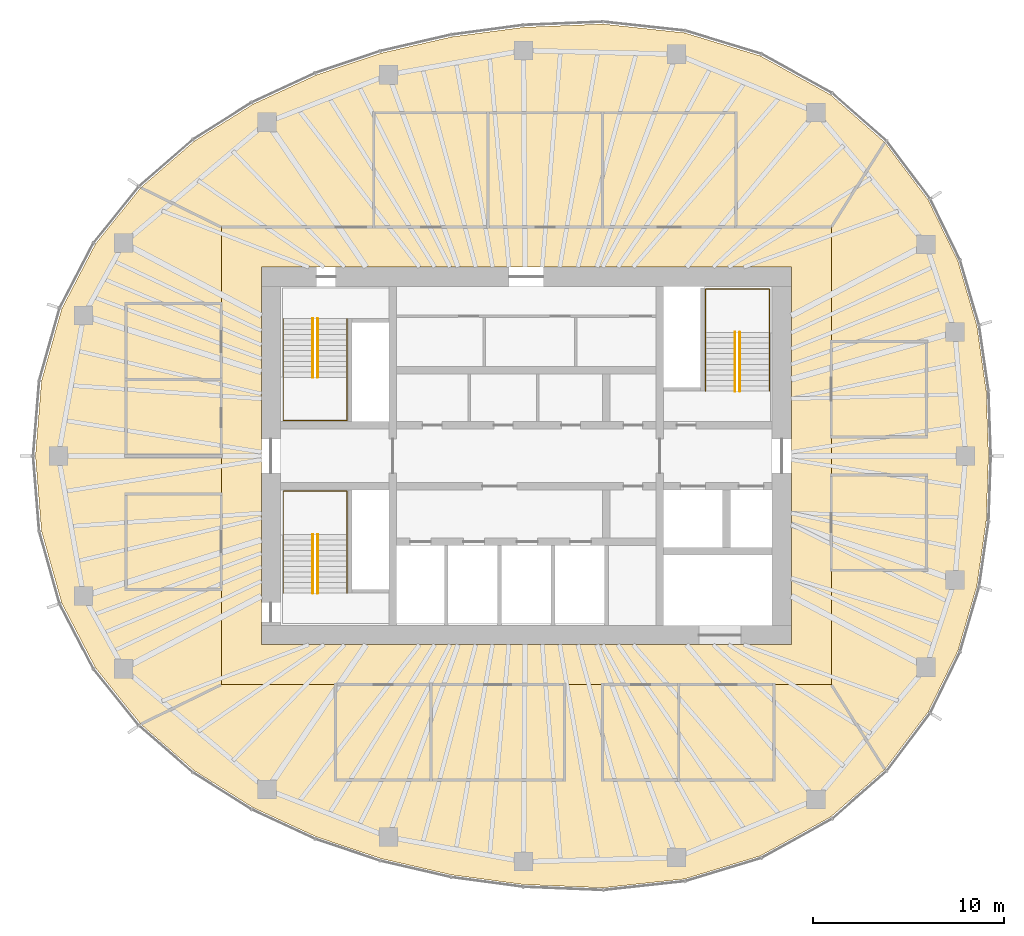
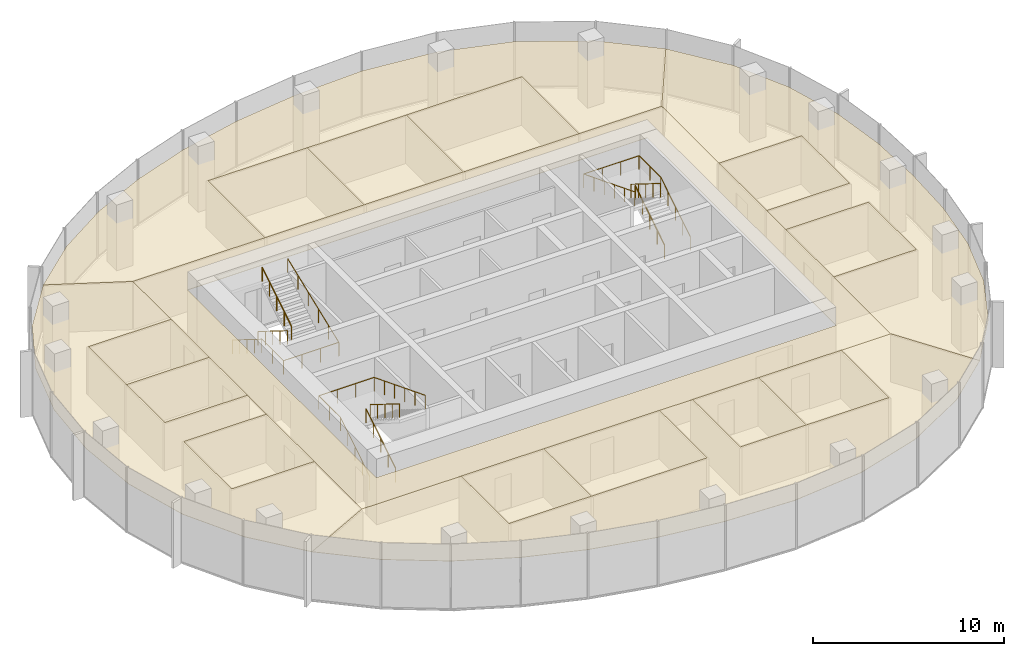
# One storey, part 11 of 11: 17 coverings, 9 railings.
"""IFC4 building model written with IfcOpenShell, lengths in metres."""

from ifc_helpers import new_model, si_unit, direction, frame, origin, origin_2d, place, context, subcontext, project, spatial, polyline, circle, outline, extrude, material, layer, layer_set, type_object, element, save


model = new_model("IFC4")

# Units and contexts
model_context = context("Model", 3, precision=1e-05, world=origin(), true_north=direction((0.0, 1.0)))
body_context = subcontext(model_context, "Body", "Model", "MODEL_VIEW")
ifc_project = project(units=[si_unit("LENGTHUNIT", "METRE"), si_unit("AREAUNIT", "SQUARE_METRE"), si_unit("VOLUMEUNIT", "CUBIC_METRE"), si_unit("PLANEANGLEUNIT", "RADIAN"), si_unit("MASSUNIT", "GRAM", prefix="KILO")], contexts=[model_context])

# Site, building, storey
site_placement = place(None, origin())
site = spatial("IfcSite", under=ifc_project, at=site_placement, CompositionType="ELEMENT")
building_placement = place(site_placement, origin())
building = spatial("IfcBuilding", under=site, at=building_placement, Name="Ghaith Harvest Tower", CompositionType="ELEMENT")
storey_placement = place(building_placement, frame((0.0, 0.0, 317.39990234375)))
storey = spatial("IfcBuildingStorey", under=building, at=storey_placement, Name="L71", CompositionType="ELEMENT", Elevation=317.39990234375)

# Coverings
ifc_material_1 = material(Name="Mineral fibre ceiling tile", Category="gypsum")
ifc_layer = layer(ifc_material_1, 0.02490234375)
ifc_layer_set = layer_set([ifc_layer], Name="CEILING C2")
covering_type = type_object("IfcCoveringType", Name="CEILING C2", PredefinedType="CEILING", material=ifc_layer_set)
covering_1_placement = place(storey_placement, frame((0.0, 0.0, 3.0)))
element("IfcCovering", 1, at=covering_1_placement, inside=storey, type_object=covering_type, Name="Ceiling L71-01", PredefinedType="CEILING", context=body_context, shape_type="SweptSolid", body=[
    extrude(outline(polyline([(-8.0, 12.0), (-2.0, 12.0), (-2.0, 18.0), (-8.0, 18.0), (-8.0, 12.0)])), origin(), (0.0, 0.0, 1.0), 0.025146484375),
])
covering_2_placement = place(storey_placement, frame((0.0, 0.0, 3.0)))
element("IfcCovering", 2, at=covering_2_placement, inside=storey, type_object=covering_type, Name="Ceiling L71-02", PredefinedType="CEILING", context=body_context, shape_type="SweptSolid", body=[
    extrude(outline(polyline([(-2.0, 12.0), (4.0, 12.0), (4.0, 18.0), (-2.0, 18.0), (-2.0, 12.0)])), origin(), (0.0, 0.0, 1.0), 0.025146484375),
])
covering_3_placement = place(storey_placement, frame((0.0, 0.0, 3.0)))
element("IfcCovering", 3, at=covering_3_placement, inside=storey, type_object=covering_type, Name="Ceiling L71-03", PredefinedType="CEILING", context=body_context, shape_type="SweptSolid", body=[
    extrude(outline(polyline([(4.0, 12.0), (11.0, 12.0), (11.0, 18.0), (4.0, 18.0), (4.0, 12.0)])), origin(), (0.0, 0.0, 1.0), 0.025146484375),
])
covering_4_placement = place(storey_placement, frame((0.0, 0.0, 3.0)))
element("IfcCovering", 4, at=covering_4_placement, inside=storey, type_object=covering_type, Name="Ceiling L71-04", PredefinedType="CEILING", context=body_context, shape_type="SweptSolid", body=[
    extrude(outline(polyline([(-10.0, -17.0), (-5.0, -17.0), (-5.0, -12.0), (-10.0, -12.0), (-10.0, -17.0)])), origin(), (0.0, 0.0, 1.0), 0.025146484375),
])
covering_5_placement = place(storey_placement, frame((0.0, 0.0, 3.0)))
element("IfcCovering", 5, at=covering_5_placement, inside=storey, type_object=covering_type, Name="Ceiling L71-05", PredefinedType="CEILING", context=body_context, shape_type="SweptSolid", body=[
    extrude(outline(polyline([(-5.0, -17.0), (2.0, -17.0), (2.0, -12.0), (-5.0, -12.0), (-5.0, -17.0)])), origin(), (0.0, 0.0, 1.0), 0.025146484375),
])
covering_6_placement = place(storey_placement, frame((0.0, 0.0, 3.0)))
element("IfcCovering", 6, at=covering_6_placement, inside=storey, type_object=covering_type, Name="Ceiling L71-06", PredefinedType="CEILING", context=body_context, shape_type="SweptSolid", body=[
    extrude(outline(polyline([(4.0, -17.0), (8.0, -17.0), (8.0, -12.0), (4.0, -12.0), (4.0, -17.0)])), origin(), (0.0, 0.0, 1.0), 0.025146484375),
])
covering_7_placement = place(storey_placement, frame((0.0, 0.0, 3.0)))
element("IfcCovering", 7, at=covering_7_placement, inside=storey, type_object=covering_type, Name="Ceiling L71-07", PredefinedType="CEILING", context=body_context, shape_type="SweptSolid", body=[
    extrude(outline(polyline([(8.0, -17.0), (13.0, -17.0), (13.0, -12.0), (8.0, -12.0), (8.0, -17.0)])), origin(), (0.0, 0.0, 1.0), 0.025146484375),
])
covering_8_placement = place(storey_placement, frame((0.0, 0.0, 3.0)))
element("IfcCovering", 8, at=covering_8_placement, inside=storey, type_object=covering_type, Name="Ceiling L71-08", PredefinedType="CEILING", context=body_context, shape_type="SweptSolid", body=[
    extrude(outline(polyline([(-21.0, -7.0), (-16.0, -7.0), (-16.0, -2.0), (-21.0, -2.0), (-21.0, -7.0)])), origin(), (0.0, 0.0, 1.0), 0.025146484375),
])
covering_9_placement = place(storey_placement, frame((0.0, 0.0, 3.0)))
element("IfcCovering", 9, at=covering_9_placement, inside=storey, type_object=covering_type, Name="Ceiling L71-09", PredefinedType="CEILING", context=body_context, shape_type="SweptSolid", body=[
    extrude(outline(polyline([(16.0, -6.0), (21.0, -6.0), (21.0, -1.0), (16.0, -1.0), (16.0, -6.0)])), origin(), (0.0, 0.0, 1.0), 0.025146484375),
])
covering_10_placement = place(storey_placement, frame((0.0, 0.0, 3.0)))
element("IfcCovering", 10, at=covering_10_placement, inside=storey, type_object=covering_type, Name="Ceiling L71-10", PredefinedType="CEILING", context=body_context, shape_type="SweptSolid", body=[
    extrude(outline(polyline([(16.0, 1.0), (21.0, 1.0), (21.0, 6.0), (16.0, 6.0), (16.0, 1.0)])), origin(), (0.0, 0.0, 1.0), 0.025146484375),
])
covering_11_placement = place(storey_placement, frame((0.0, 0.0, 3.0)))
element("IfcCovering", 11, at=covering_11_placement, inside=storey, type_object=covering_type, Name="Ceiling L71-11", PredefinedType="CEILING", context=body_context, shape_type="SweptSolid", body=[
    extrude(outline(polyline([(-21.0, 0.0), (-16.0, 0.0), (-16.0, 4.0), (-21.0, 4.0), (-21.0, 0.0)])), origin(), (0.0, 0.0, 1.0), 0.025146484375),
])
covering_12_placement = place(storey_placement, frame((0.0, 0.0, 3.0)))
element("IfcCovering", 12, at=covering_12_placement, inside=storey, type_object=covering_type, Name="Ceiling L71-12", PredefinedType="CEILING", context=body_context, shape_type="SweptSolid", body=[
    extrude(outline(polyline([(-21.0, 4.0), (-16.0, 4.0), (-16.0, 8.0), (-21.0, 8.0), (-21.0, 4.0)])), origin(), (0.0, 0.0, 1.0), 0.025146484375),
])
covering_13_placement = place(storey_placement, frame((0.0, 0.0, 3.0)))
element("IfcCovering", 13, at=covering_13_placement, inside=storey, type_object=covering_type, Name="Ceiling L71-C1", PredefinedType="CEILING", context=body_context, shape_type="SweptSolid", body=[
    extrude(outline(polyline([(-16.0, 12.0), (16.0, 12.0), (16.0, -12.0), (-16.0, -12.0), (-16.0, 12.0)]), holes=[polyline([(13.89990234375, 9.89990234375), (-13.89990234375, 9.89990234375), (-13.89990234375, -9.89990234375), (13.89990234375, -9.89990234375), (13.89990234375, 9.89990234375)])]), origin(), (0.0, 0.0, 1.0), 0.025146484375),
])
covering_14_placement = place(storey_placement, frame((0.0, 0.0, 3.0)))
element("IfcCovering", 14, at=covering_14_placement, inside=storey, type_object=covering_type, Name="Ceiling L71-N1", PredefinedType="CEILING", context=body_context, shape_type="SweptSolid", body=[
    extrude(outline(polyline([(-17.40771484375, 16.518310546875), (-14.331298828125, 18.452880859375), (-11.009521484375, 19.98779296875), (-7.6298828125, 21.12548828125), (-3.92529296875, 21.98046875), (-0.15380859375, 22.486083984375), (4.016845703125, 22.658447265625), (8.2978515625, 22.1962890625), (12.273681640625, 20.98828125), (15.971923828125, 18.940185546875), (18.810791015625, 16.4482421875), (16.0, 12.0), (11.0, 12.0), (11.0, 18.0), (-8.0, 18.0), (-8.0, 12.0), (-16.0, 12.0), (-20.225830078125, 14.0732421875), (-17.40771484375, 16.518310546875)])), origin(), (0.0, 0.0, 1.0), 0.025146484375),
])
covering_15_placement = place(storey_placement, frame((0.0, 0.0, 3.0)))
element("IfcCovering", 15, at=covering_15_placement, inside=storey, type_object=covering_type, Name="Ceiling L71-E1", PredefinedType="CEILING", context=body_context, shape_type="SweptSolid", body=[
    extrude(outline(polyline([(21.087890625, 13.42041015625), (22.644775390625, 10.222900390625), (23.6376953125, 6.831787109375), (24.129150390625, 3.4169921875), (24.25, 0.0), (24.129150390625, -3.4169921875), (23.6376953125, -6.831787109375), (22.644775390625, -10.222900390625), (21.087890625, -13.42041015625), (18.810791015625, -16.4482421875), (16.0, -12.0), (16.0, -6.0), (21.0, -6.0), (21.0, -1.0), (16.0, -1.0), (16.0, 1.0), (21.0, 1.0), (21.0, 6.0), (16.0, 6.0), (16.0, 12.0), (18.810791015625, 16.4482421875), (21.087890625, 13.42041015625)])), origin(), (0.0, 0.0, 1.0), 0.025146484375),
])
covering_16_placement = place(storey_placement, frame((0.0, 0.0, 3.0)))
element("IfcCovering", 16, at=covering_16_placement, inside=storey, type_object=covering_type, Name="Ceiling L71-S1", PredefinedType="CEILING", context=body_context, shape_type="SweptSolid", body=[
    extrude(outline(polyline([(-17.40771484375, -16.518310546875), (-20.225830078125, -14.0732421875), (-16.0, -12.0), (-10.0, -12.0), (-10.0, -17.0), (2.0, -17.0), (2.0, -12.0), (4.0, -12.0), (4.0, -17.0), (13.0, -17.0), (13.0, -12.0), (16.0, -12.0), (18.810791015625, -16.4482421875), (15.971923828125, -18.940185546875), (12.273681640625, -20.98828125), (8.2978515625, -22.1962890625), (4.016845703125, -22.658447265625), (-0.15380859375, -22.486083984375), (-3.92529296875, -21.98046875), (-7.6298828125, -21.12548828125), (-11.009521484375, -19.98779296875), (-14.331298828125, -18.452880859375), (-17.40771484375, -16.518310546875)])), origin(), (0.0, 0.0, 1.0), 0.025146484375),
])
covering_17_placement = place(storey_placement, frame((0.0, 0.0, 3.0)))
element("IfcCovering", 17, at=covering_17_placement, inside=storey, type_object=covering_type, Name="Ceiling L71-W1", PredefinedType="CEILING", context=body_context, shape_type="SweptSolid", body=[
    extrude(outline(polyline([(-22.5986328125, -11.12353515625), (-24.368408203125, -7.722900390625), (-25.43310546875, -3.93359375), (-25.75, 0.0), (-25.43310546875, 3.93359375), (-24.368408203125, 7.722900390625), (-22.5986328125, 11.12353515625), (-20.225830078125, 14.0732421875), (-16.0, 12.0), (-16.0, 8.0), (-21.0, 8.0), (-21.0, 0.0), (-16.0, 0.0), (-16.0, -2.0), (-21.0, -2.0), (-21.0, -7.0), (-16.0, -7.0), (-16.0, -12.0), (-20.225830078125, -14.0732421875), (-22.5986328125, -11.12353515625)])), origin(), (0.0, 0.0, 1.0), 0.025146484375),
])

# Railings
ifc_material_2 = material(Name="Steel, black powder-coated", Category="steel")
railing_type = type_object("IfcRailingType", Name="HANDRAIL HR1", PredefinedType="HANDRAIL", material=ifc_material_2)
railing_1_placement = place(storey_placement, frame((-11.199951171875, 7.199951171875, 0.175048828125)))
element("IfcRailing", 18, at=railing_1_placement, inside=storey, type_object=railing_type, Name="Handrail HR1 stair ST1 L71 flight 1 inner", PredefinedType="HANDRAIL", context=body_context, shape_type="SweptSolid", body=[
    extrude(circle(Radius=0.02392578125, at=origin_2d()), frame((0.0, 0.0, 0.8759765625), z_axis=(0.0, -0.847979421464, 0.530029150871), x_axis=(1.0, 0.0, 0.0)), (0.0, 0.0, 1.0), 3.632080078125),
    extrude(circle(Radius=0.02099609375, at=origin_2d()), origin(), (0.0, 0.0, 1.0), 0.851806640625),
    extrude(circle(Radius=0.02099609375, at=origin_2d()), frame((0.0, -0.77001953125, 0.481201171875)), (0.0, 0.0, 1.0), 0.851806640625),
    extrude(circle(Radius=0.02099609375, at=origin_2d()), frame((0.0, -1.5400390625, 0.96240234375)), (0.0, 0.0, 1.0), 0.851806640625),
    extrude(circle(Radius=0.02099609375, at=origin_2d()), frame((0.0, -2.309814453125, 1.44384765625)), (0.0, 0.0, 1.0), 0.851806640625),
    extrude(circle(Radius=0.02099609375, at=origin_2d()), frame((0.0, -3.079833984375, 1.925048828125)), (0.0, 0.0, 1.0), 0.851806640625),
])
railing_2_placement = place(storey_placement, frame((-10.949951171875, 4.1201171875, 2.275146484375)))
element("IfcRailing", 19, at=railing_2_placement, inside=storey, type_object=railing_type, Name="Handrail HR1 stair ST1 L71 flight 2 inner", PredefinedType="HANDRAIL", context=body_context, shape_type="SweptSolid", body=[
    extrude(circle(Radius=0.02392578125, at=origin_2d()), frame((0.0, 0.0, 0.8759765625), z_axis=(0.0, 0.847979421464, 0.530029150871), x_axis=(-1.0, 0.0, 0.0)), (0.0, 0.0, 1.0), 3.632080078125),
    extrude(circle(Radius=0.02099609375, at=origin_2d()), origin(), (0.0, 0.0, 1.0), 0.851806640625),
    extrude(circle(Radius=0.02099609375, at=origin_2d()), frame((0.0, 0.77001953125, 0.481201171875)), (0.0, 0.0, 1.0), 0.851806640625),
    extrude(circle(Radius=0.02099609375, at=origin_2d()), frame((0.0, 1.5400390625, 0.96240234375)), (0.0, 0.0, 1.0), 0.851806640625),
    extrude(circle(Radius=0.02099609375, at=origin_2d()), frame((0.0, 2.309814453125, 1.44384765625)), (0.0, 0.0, 1.0), 0.851806640625),
    extrude(circle(Radius=0.02099609375, at=origin_2d()), frame((0.0, 3.079833984375, 1.925048828125)), (0.0, 0.0, 1.0), 0.851806640625),
])
railing_3_placement = place(storey_placement, frame((-12.75, 7.199951171875, 0.175048828125)))
element("IfcRailing", 20, at=railing_3_placement, inside=storey, type_object=railing_type, Name="Handrail HR1 stair ST1 L71 wall side", PredefinedType="HANDRAIL", context=body_context, shape_type="SweptSolid", body=[
    extrude(circle(Radius=0.02392578125, at=origin_2d()), frame((0.0, 0.0, 0.8759765625), z_axis=(0.0, -0.847979421464, 0.530029150871), x_axis=(1.0, 0.0, 0.0)), (0.0, 0.0, 1.0), 3.632080078125),
    extrude(circle(Radius=0.02392578125, at=origin_2d()), frame((0.0, -3.079833984375, 2.80078125), z_axis=(0.0, -1.0, 0.0), x_axis=(1.0, 0.0, 0.0)), (0.0, 0.0, 1.0), 2.27001953125),
    extrude(circle(Radius=0.02392578125, at=origin_2d()), frame((0.0, -5.349853515625, 2.80078125), z_axis=(1.0, 0.0, 0.0), x_axis=(0.0, 1.0, 0.0)), (0.0, 0.0, 1.0), 3.35009765625),
    extrude(circle(Radius=0.02392578125, at=origin_2d()), frame((3.35009765625, -5.349853515625, 2.80078125), z_axis=(0.0, 0.930848013298, 0.36540659017), x_axis=(-1.0, 0.0, 0.0)), (0.0, 0.0, 1.0), 5.747314453125),
    extrude(circle(Radius=0.02099609375, at=origin_2d()), origin(), (0.0, 0.0, 1.0), 0.851806640625),
    extrude(circle(Radius=0.02099609375, at=origin_2d()), frame((0.0, -0.77001953125, 0.481201171875)), (0.0, 0.0, 1.0), 0.851806640625),
    extrude(circle(Radius=0.02099609375, at=origin_2d()), frame((0.0, -1.5400390625, 0.96240234375)), (0.0, 0.0, 1.0), 0.851806640625),
    extrude(circle(Radius=0.02099609375, at=origin_2d()), frame((0.0, -2.309814453125, 1.44384765625)), (0.0, 0.0, 1.0), 0.851806640625),
    extrude(circle(Radius=0.02099609375, at=origin_2d()), frame((0.0, -3.079833984375, 1.925048828125)), (0.0, 0.0, 1.0), 0.851806640625),
    extrude(circle(Radius=0.02099609375, at=origin_2d()), frame((0.0, -4.21484375, 1.925048828125)), (0.0, 0.0, 1.0), 0.851806640625),
    extrude(circle(Radius=0.02099609375, at=origin_2d()), frame((0.0, -5.349853515625, 1.925048828125)), (0.0, 0.0, 1.0), 0.851806640625),
    extrude(circle(Radius=0.02099609375, at=origin_2d()), frame((1.11669921875, -5.349853515625, 1.925048828125)), (0.0, 0.0, 1.0), 0.851806640625),
    extrude(circle(Radius=0.02099609375, at=origin_2d()), frame((2.2333984375, -5.349853515625, 1.925048828125)), (0.0, 0.0, 1.0), 0.851806640625),
    extrude(circle(Radius=0.02099609375, at=origin_2d()), frame((3.35009765625, -5.349853515625, 1.925048828125)), (0.0, 0.0, 1.0), 0.851806640625),
    extrude(circle(Radius=0.02099609375, at=origin_2d()), frame((3.35009765625, -4.27978515625, 2.344970703125)), (0.0, 0.0, 1.0), 0.851806640625),
    extrude(circle(Radius=0.02099609375, at=origin_2d()), frame((3.35009765625, -3.2099609375, 2.76513671875)), (0.0, 0.0, 1.0), 0.851806640625),
    extrude(circle(Radius=0.02099609375, at=origin_2d()), frame((3.35009765625, -2.139892578125, 3.18505859375)), (0.0, 0.0, 1.0), 0.851806640625),
    extrude(circle(Radius=0.02099609375, at=origin_2d()), frame((3.35009765625, -1.070068359375, 3.605224609375)), (0.0, 0.0, 1.0), 0.851806640625),
    extrude(circle(Radius=0.02099609375, at=origin_2d()), frame((3.35009765625, 0.0, 4.025146484375)), (0.0, 0.0, 1.0), 0.851806640625),
])
railing_4_placement = place(storey_placement, frame((-11.199951171875, -7.199951171875, 0.175048828125)))
element("IfcRailing", 21, at=railing_4_placement, inside=storey, type_object=railing_type, Name="Handrail HR1 stair ST3 L71 flight 1 inner", PredefinedType="HANDRAIL", context=body_context, shape_type="SweptSolid", body=[
    extrude(circle(Radius=0.02392578125, at=origin_2d()), frame((0.0, 0.0, 0.8759765625), z_axis=(0.0, 0.847979421464, 0.530029150871), x_axis=(-1.0, 0.0, 0.0)), (0.0, 0.0, 1.0), 3.632080078125),
    extrude(circle(Radius=0.02099609375, at=origin_2d()), origin(), (0.0, 0.0, 1.0), 0.851806640625),
    extrude(circle(Radius=0.02099609375, at=origin_2d()), frame((0.0, 0.77001953125, 0.481201171875)), (0.0, 0.0, 1.0), 0.851806640625),
    extrude(circle(Radius=0.02099609375, at=origin_2d()), frame((0.0, 1.5400390625, 0.96240234375)), (0.0, 0.0, 1.0), 0.851806640625),
    extrude(circle(Radius=0.02099609375, at=origin_2d()), frame((0.0, 2.309814453125, 1.44384765625)), (0.0, 0.0, 1.0), 0.851806640625),
    extrude(circle(Radius=0.02099609375, at=origin_2d()), frame((0.0, 3.079833984375, 1.925048828125)), (0.0, 0.0, 1.0), 0.851806640625),
])
railing_5_placement = place(storey_placement, frame((-10.949951171875, -4.1201171875, 2.275146484375)))
element("IfcRailing", 22, at=railing_5_placement, inside=storey, type_object=railing_type, Name="Handrail HR1 stair ST3 L71 flight 2 inner", PredefinedType="HANDRAIL", context=body_context, shape_type="SweptSolid", body=[
    extrude(circle(Radius=0.02392578125, at=origin_2d()), frame((0.0, 0.0, 0.8759765625), z_axis=(0.0, -0.847979421464, 0.530029150871), x_axis=(1.0, 0.0, 0.0)), (0.0, 0.0, 1.0), 3.632080078125),
    extrude(circle(Radius=0.02099609375, at=origin_2d()), origin(), (0.0, 0.0, 1.0), 0.851806640625),
    extrude(circle(Radius=0.02099609375, at=origin_2d()), frame((0.0, -0.77001953125, 0.481201171875)), (0.0, 0.0, 1.0), 0.851806640625),
    extrude(circle(Radius=0.02099609375, at=origin_2d()), frame((0.0, -1.5400390625, 0.96240234375)), (0.0, 0.0, 1.0), 0.851806640625),
    extrude(circle(Radius=0.02099609375, at=origin_2d()), frame((0.0, -2.309814453125, 1.44384765625)), (0.0, 0.0, 1.0), 0.851806640625),
    extrude(circle(Radius=0.02099609375, at=origin_2d()), frame((0.0, -3.079833984375, 1.925048828125)), (0.0, 0.0, 1.0), 0.851806640625),
])
railing_6_placement = place(storey_placement, frame((-12.75, -7.199951171875, 0.175048828125)))
element("IfcRailing", 23, at=railing_6_placement, inside=storey, type_object=railing_type, Name="Handrail HR1 stair ST3 L71 wall side", PredefinedType="HANDRAIL", context=body_context, shape_type="SweptSolid", body=[
    extrude(circle(Radius=0.02392578125, at=origin_2d()), frame((0.0, 0.0, 0.8759765625), z_axis=(0.0, 0.847979421464, 0.530029150871), x_axis=(-1.0, 0.0, 0.0)), (0.0, 0.0, 1.0), 3.632080078125),
    extrude(circle(Radius=0.02392578125, at=origin_2d()), frame((0.0, 3.079833984375, 2.80078125), z_axis=(0.0, 1.0, 0.0), x_axis=(-1.0, 0.0, 0.0)), (0.0, 0.0, 1.0), 2.27001953125),
    extrude(circle(Radius=0.02392578125, at=origin_2d()), frame((0.0, 5.349853515625, 2.80078125), z_axis=(1.0, 0.0, 0.0), x_axis=(0.0, 1.0, 0.0)), (0.0, 0.0, 1.0), 3.35009765625),
    extrude(circle(Radius=0.02392578125, at=origin_2d()), frame((3.35009765625, 5.349853515625, 2.80078125), z_axis=(0.0, -0.930848013298, 0.36540659017), x_axis=(1.0, 0.0, 0.0)), (0.0, 0.0, 1.0), 5.747314453125),
    extrude(circle(Radius=0.02099609375, at=origin_2d()), origin(), (0.0, 0.0, 1.0), 0.851806640625),
    extrude(circle(Radius=0.02099609375, at=origin_2d()), frame((0.0, 0.77001953125, 0.481201171875)), (0.0, 0.0, 1.0), 0.851806640625),
    extrude(circle(Radius=0.02099609375, at=origin_2d()), frame((0.0, 1.5400390625, 0.96240234375)), (0.0, 0.0, 1.0), 0.851806640625),
    extrude(circle(Radius=0.02099609375, at=origin_2d()), frame((0.0, 2.309814453125, 1.44384765625)), (0.0, 0.0, 1.0), 0.851806640625),
    extrude(circle(Radius=0.02099609375, at=origin_2d()), frame((0.0, 3.079833984375, 1.925048828125)), (0.0, 0.0, 1.0), 0.851806640625),
    extrude(circle(Radius=0.02099609375, at=origin_2d()), frame((0.0, 4.21484375, 1.925048828125)), (0.0, 0.0, 1.0), 0.851806640625),
    extrude(circle(Radius=0.02099609375, at=origin_2d()), frame((0.0, 5.349853515625, 1.925048828125)), (0.0, 0.0, 1.0), 0.851806640625),
    extrude(circle(Radius=0.02099609375, at=origin_2d()), frame((1.11669921875, 5.349853515625, 1.925048828125)), (0.0, 0.0, 1.0), 0.851806640625),
    extrude(circle(Radius=0.02099609375, at=origin_2d()), frame((2.2333984375, 5.349853515625, 1.925048828125)), (0.0, 0.0, 1.0), 0.851806640625),
    extrude(circle(Radius=0.02099609375, at=origin_2d()), frame((3.35009765625, 5.349853515625, 1.925048828125)), (0.0, 0.0, 1.0), 0.851806640625),
    extrude(circle(Radius=0.02099609375, at=origin_2d()), frame((3.35009765625, 4.27978515625, 2.344970703125)), (0.0, 0.0, 1.0), 0.851806640625),
    extrude(circle(Radius=0.02099609375, at=origin_2d()), frame((3.35009765625, 3.2099609375, 2.76513671875)), (0.0, 0.0, 1.0), 0.851806640625),
    extrude(circle(Radius=0.02099609375, at=origin_2d()), frame((3.35009765625, 2.139892578125, 3.18505859375)), (0.0, 0.0, 1.0), 0.851806640625),
    extrude(circle(Radius=0.02099609375, at=origin_2d()), frame((3.35009765625, 1.070068359375, 3.605224609375)), (0.0, 0.0, 1.0), 0.851806640625),
    extrude(circle(Radius=0.02099609375, at=origin_2d()), frame((3.35009765625, 0.0, 4.025146484375)), (0.0, 0.0, 1.0), 0.851806640625),
])
railing_7_placement = place(storey_placement, frame((11.199951171875, 3.39990234375, 0.175048828125)))
element("IfcRailing", 24, at=railing_7_placement, inside=storey, type_object=railing_type, Name="Handrail HR1 stair ST2 L71 flight 1 inner", PredefinedType="HANDRAIL", context=body_context, shape_type="SweptSolid", body=[
    extrude(circle(Radius=0.02392578125, at=origin_2d()), frame((0.0, 0.0, 0.8759765625), z_axis=(0.0, 0.847998304005, 0.529998940003), x_axis=(-1.0, 0.0, 0.0)), (0.0, 0.0, 1.0), 3.632080078125),
    extrude(circle(Radius=0.02099609375, at=origin_2d()), origin(), (0.0, 0.0, 1.0), 0.851806640625),
    extrude(circle(Radius=0.02099609375, at=origin_2d()), frame((0.0, 0.77001953125, 0.481201171875)), (0.0, 0.0, 1.0), 0.851806640625),
    extrude(circle(Radius=0.02099609375, at=origin_2d()), frame((0.0, 1.5400390625, 0.96240234375)), (0.0, 0.0, 1.0), 0.851806640625),
    extrude(circle(Radius=0.02099609375, at=origin_2d()), frame((0.0, 2.31005859375, 1.44384765625)), (0.0, 0.0, 1.0), 0.851806640625),
    extrude(circle(Radius=0.02099609375, at=origin_2d()), frame((0.0, 3.080078125, 1.925048828125)), (0.0, 0.0, 1.0), 0.851806640625),
])
railing_8_placement = place(storey_placement, frame((10.949951171875, 6.47998046875, 2.275146484375)))
element("IfcRailing", 25, at=railing_8_placement, inside=storey, type_object=railing_type, Name="Handrail HR1 stair ST2 L71 flight 2 inner", PredefinedType="HANDRAIL", context=body_context, shape_type="SweptSolid", body=[
    extrude(circle(Radius=0.02392578125, at=origin_2d()), frame((0.0, 0.0, 0.8759765625), z_axis=(0.0, -0.847998304005, 0.529998940003), x_axis=(1.0, 0.0, 0.0)), (0.0, 0.0, 1.0), 3.632080078125),
    extrude(circle(Radius=0.02099609375, at=origin_2d()), origin(), (0.0, 0.0, 1.0), 0.851806640625),
    extrude(circle(Radius=0.02099609375, at=origin_2d()), frame((0.0, -0.77001953125, 0.481201171875)), (0.0, 0.0, 1.0), 0.851806640625),
    extrude(circle(Radius=0.02099609375, at=origin_2d()), frame((0.0, -1.5400390625, 0.96240234375)), (0.0, 0.0, 1.0), 0.851806640625),
    extrude(circle(Radius=0.02099609375, at=origin_2d()), frame((0.0, -2.31005859375, 1.44384765625)), (0.0, 0.0, 1.0), 0.851806640625),
    extrude(circle(Radius=0.02099609375, at=origin_2d()), frame((0.0, -3.080078125, 1.925048828125)), (0.0, 0.0, 1.0), 0.851806640625),
])
railing_9_placement = place(storey_placement, frame((12.75, 3.39990234375, 0.175048828125)))
element("IfcRailing", 26, at=railing_9_placement, inside=storey, type_object=railing_type, Name="Handrail HR1 stair ST2 L71 wall side", PredefinedType="HANDRAIL", context=body_context, shape_type="SweptSolid", body=[
    extrude(circle(Radius=0.02392578125, at=origin_2d()), frame((0.0, 0.0, 0.8759765625), z_axis=(0.0, 0.847998304005, 0.529998940003), x_axis=(-1.0, 0.0, 0.0)), (0.0, 0.0, 1.0), 3.632080078125),
    extrude(circle(Radius=0.02392578125, at=origin_2d()), frame((0.0, 3.080078125, 2.80078125), z_axis=(0.0, 1.0, 0.0), x_axis=(-1.0, 0.0, 0.0)), (0.0, 0.0, 1.0), 2.27001953125),
    extrude(circle(Radius=0.02392578125, at=origin_2d()), frame((0.0, 5.35009765625, 2.80078125), z_axis=(-1.0, 0.0, 0.0), x_axis=(0.0, -1.0, 0.0)), (0.0, 0.0, 1.0), 3.35009765625),
    extrude(circle(Radius=0.02392578125, at=origin_2d()), frame((-3.35009765625, 5.35009765625, 2.80078125), z_axis=(0.0, -0.930853684876, 0.365392141887), x_axis=(1.0, 0.0, 0.0)), (0.0, 0.0, 1.0), 5.74755859375),
    extrude(circle(Radius=0.02099609375, at=origin_2d()), origin(), (0.0, 0.0, 1.0), 0.851806640625),
    extrude(circle(Radius=0.02099609375, at=origin_2d()), frame((0.0, 0.77001953125, 0.481201171875)), (0.0, 0.0, 1.0), 0.851806640625),
    extrude(circle(Radius=0.02099609375, at=origin_2d()), frame((0.0, 1.5400390625, 0.96240234375)), (0.0, 0.0, 1.0), 0.851806640625),
    extrude(circle(Radius=0.02099609375, at=origin_2d()), frame((0.0, 2.31005859375, 1.44384765625)), (0.0, 0.0, 1.0), 0.851806640625),
    extrude(circle(Radius=0.02099609375, at=origin_2d()), frame((0.0, 3.080078125, 1.925048828125)), (0.0, 0.0, 1.0), 0.851806640625),
    extrude(circle(Radius=0.02099609375, at=origin_2d()), frame((0.0, 4.215087890625, 1.925048828125)), (0.0, 0.0, 1.0), 0.851806640625),
    extrude(circle(Radius=0.02099609375, at=origin_2d()), frame((0.0, 5.35009765625, 1.925048828125)), (0.0, 0.0, 1.0), 0.851806640625),
    extrude(circle(Radius=0.02099609375, at=origin_2d()), frame((-1.11669921875, 5.35009765625, 1.925048828125)), (0.0, 0.0, 1.0), 0.851806640625),
    extrude(circle(Radius=0.02099609375, at=origin_2d()), frame((-2.2333984375, 5.35009765625, 1.925048828125)), (0.0, 0.0, 1.0), 0.851806640625),
    extrude(circle(Radius=0.02099609375, at=origin_2d()), frame((-3.35009765625, 5.35009765625, 1.925048828125)), (0.0, 0.0, 1.0), 0.851806640625),
    extrude(circle(Radius=0.02099609375, at=origin_2d()), frame((-3.35009765625, 4.280029296875, 2.344970703125)), (0.0, 0.0, 1.0), 0.851806640625),
    extrude(circle(Radius=0.02099609375, at=origin_2d()), frame((-3.35009765625, 3.2099609375, 2.76513671875)), (0.0, 0.0, 1.0), 0.851806640625),
    extrude(circle(Radius=0.02099609375, at=origin_2d()), frame((-3.35009765625, 2.14013671875, 3.18505859375)), (0.0, 0.0, 1.0), 0.851806640625),
    extrude(circle(Radius=0.02099609375, at=origin_2d()), frame((-3.35009765625, 1.070068359375, 3.605224609375)), (0.0, 0.0, 1.0), 0.851806640625),
    extrude(circle(Radius=0.02099609375, at=origin_2d()), frame((-3.35009765625, 0.0, 4.025146484375)), (0.0, 0.0, 1.0), 0.851806640625),
])

save(model, "model.ifc")
